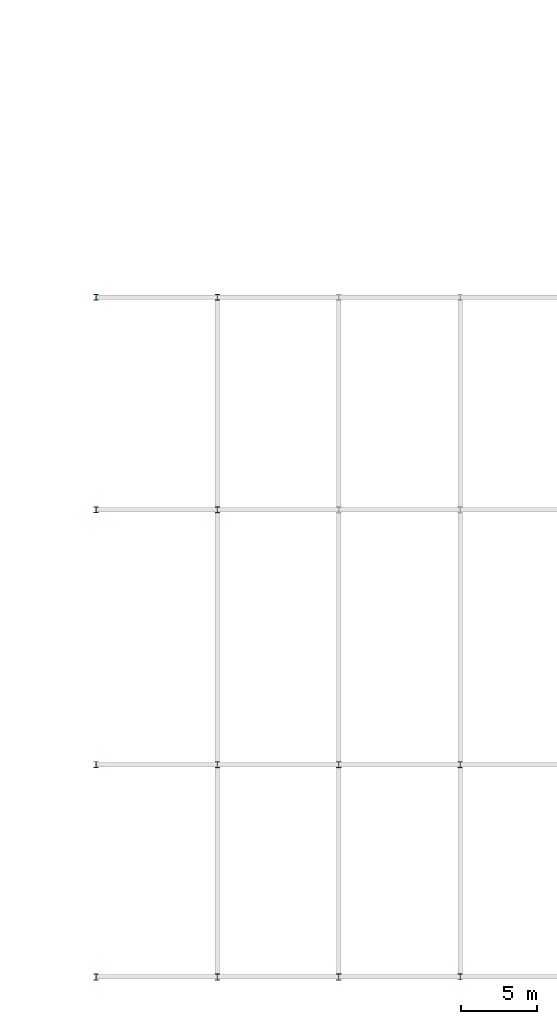
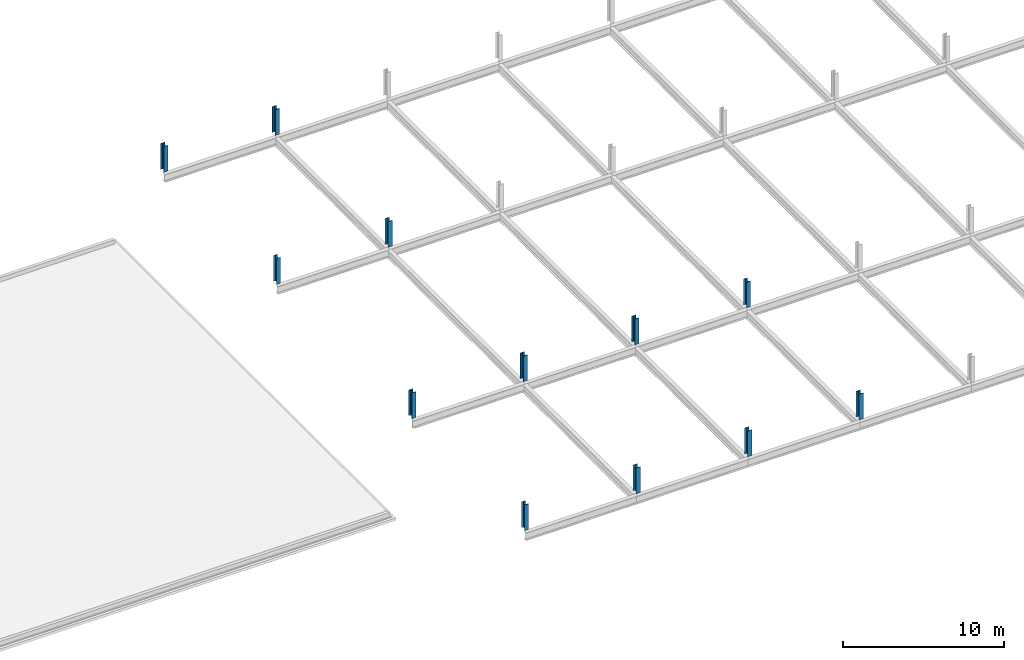
# One storey, part 1 of 25: 12 columns.
"""IFC4 building model written with IfcOpenShell, lengths in metres."""

from ifc_helpers import new_model, si_unit, direction, frame, origin, origin_2d, place, context, subcontext, project, spatial, i_section, extrude, material, material_profile, profile_set, type_object, element, save


model = new_model("IFC4")

# Units and contexts
model_context = context("Model", 3, precision=1e-05, world=origin(), true_north=direction((0.0, 1.0)))
body_context = subcontext(model_context, "Body", "Model", "MODEL_VIEW")
ifc_project = project(units=[si_unit("LENGTHUNIT", "METRE"), si_unit("AREAUNIT", "SQUARE_METRE"), si_unit("VOLUMEUNIT", "CUBIC_METRE"), si_unit("PLANEANGLEUNIT", "RADIAN"), si_unit("MASSUNIT", "GRAM", prefix="KILO")], contexts=[model_context])

# Site, building, storey
site_placement = place(None, origin())
site = spatial("IfcSite", under=ifc_project, at=site_placement, CompositionType="ELEMENT")
building_placement = place(site_placement, origin())
building = spatial("IfcBuilding", under=site, at=building_placement, Name="Vekula Escarpment Museum", CompositionType="ELEMENT")
storey_placement = place(building_placement, frame((0.0, 0.0, 26.39990234375)))
storey = spatial("IfcBuildingStorey", under=building, at=storey_placement, Name="L06", CompositionType="ELEMENT", Elevation=26.39990234375)

# Columns
ifc_material = material(Name="Steel S355", Category="steel")
ifc_material_profile = material_profile(ifc_material, i_section(OverallWidth=0.300048828125, OverallDepth=0.39990234375, WebThickness=0.013427734375, FlangeThickness=0.02392578125, FilletRadius=0.027099609375, at=origin_2d()), Name="HEB 400")
ifc_profile_set = profile_set([ifc_material_profile], Name="Steel S355")
column_type = type_object("IfcColumnType", Name="COL-S-HEB400", PredefinedType="COLUMN", material=ifc_profile_set)
for number, where, z_axis, x_axis, name in (
    (1, (70.0, 45.60009765625, 0.0), (0.0, 0.0, 1.0), (1.0, 0.0, 0.0), "Great Hall Roof Column L06 (70.0,45.6)"),
    (2, (70.0, 59.60009765625, 0.0), (0.0, 0.0, 1.0), (1.0, 0.0, 0.0), "Great Hall Roof Column L06 (70.0,59.6)"),
    (3, (70.0, 76.39990234375, 0.0), (0.0, 0.0, 1.0), (1.0, 0.0, 0.0), "Great Hall Roof Column L06 (70.0,76.4)"),
    (4, (70.0, 90.39990234375, 0.0), (0.0, 0.0, 1.0), (1.0, 0.0, 0.0), "Great Hall Roof Column L06 (70.0,90.4)"),
    (5, (78.0, 45.60009765625, 0.0), (0.0, 0.0, 1.0), (1.0, 0.0, 0.0), "Great Hall Roof Column L06 (78.0,45.6)"),
    (6, (78.0, 59.60009765625, 0.0), (0.0, 0.0, 1.0), (1.0, 0.0, 0.0), "Great Hall Roof Column L06 (78.0,59.6)"),
    (7, (78.0, 76.39990234375, 0.0), (0.0, 0.0, 1.0), (1.0, 0.0, 0.0), "Great Hall Roof Column L06 (78.0,76.4)"),
    (8, (78.0, 90.39990234375, 0.0), (0.0, 0.0, 1.0), (1.0, 0.0, 0.0), "Great Hall Roof Column L06 (78.0,90.4)"),
    (9, (86.0, 45.60009765625, 0.0), (0.0, 0.0, 1.0), (1.0, 0.0, 0.0), "Great Hall Roof Column L06 (86.0,45.6)"),
    (10, (86.0, 59.60009765625, 0.0), (0.0, 0.0, 1.0), (1.0, 0.0, 0.0), "Great Hall Roof Column L06 (86.0,59.6)"),
    (11, (94.0, 45.60009765625, 0.0), (0.0, 0.0, 1.0), (1.0, 0.0, 0.0), "Great Hall Roof Column L06 (94.0,45.6)"),
    (12, (94.0, 59.60009765625, 0.0), (0.0, 0.0, 1.0), (1.0, 0.0, 0.0), "Great Hall Roof Column L06 (94.0,59.6)"),
):
    element("IfcColumn", number, at=place(storey_placement, frame(where, z_axis=z_axis, x_axis=x_axis)), inside=storey, type_object=column_type, Name=name, PredefinedType="COLUMN", context=body_context, shape_type="SweptSolid", body=[
        extrude(i_section(OverallWidth=0.300048828125, OverallDepth=0.39990234375, WebThickness=0.013427734375, FlangeThickness=0.02392578125, FilletRadius=0.027099609375, at=origin_2d()), origin(), (0.0, 0.0, 1.0), 1.9501953125),
    ])

save(model, "model.ifc")
